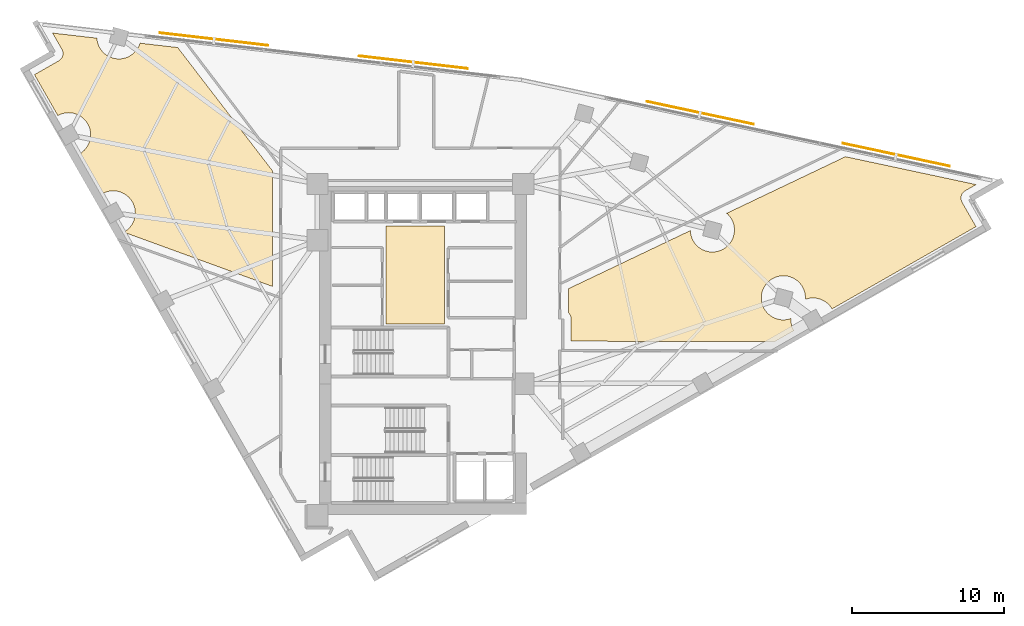
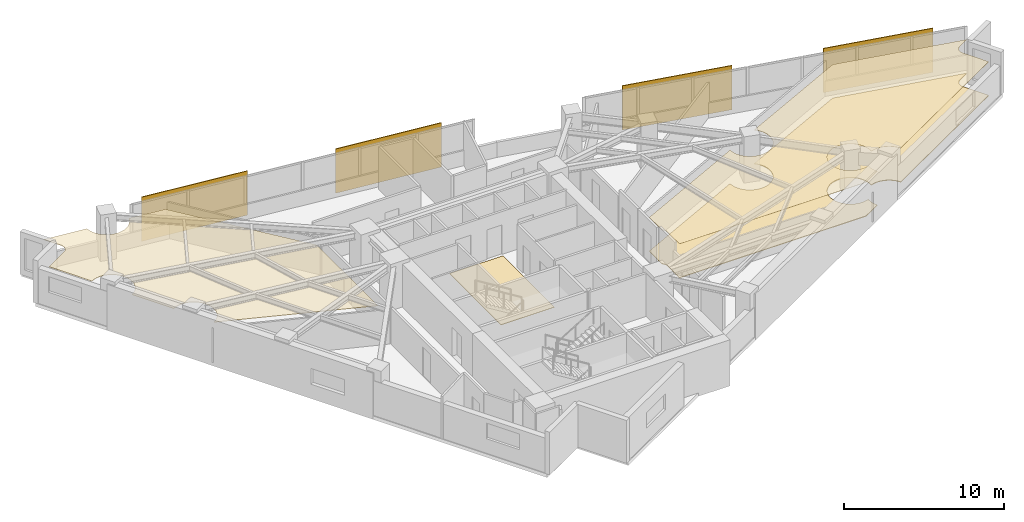
# One storey, part 14 of 14: 4 coverings, 4 shading devices.
"""IFC4 building model written with IfcOpenShell, lengths in metres."""

from ifc_helpers import new_model, si_unit, direction, frame, origin, origin_2d, place, context, subcontext, project, spatial, polyline, rectangle, outline, extrude, material, layer, layer_set, type_object, element, save


model = new_model("IFC4")

# Units and contexts
model_context = context("Model", 3, precision=1e-05, world=origin(), true_north=direction((0.0, 1.0)))
body_context = subcontext(model_context, "Body", "Model", "MODEL_VIEW")
ifc_project = project(units=[si_unit("LENGTHUNIT", "METRE"), si_unit("AREAUNIT", "SQUARE_METRE"), si_unit("VOLUMEUNIT", "CUBIC_METRE"), si_unit("PLANEANGLEUNIT", "RADIAN"), si_unit("MASSUNIT", "GRAM", prefix="KILO")], contexts=[model_context])

# Site, building, storey
site_placement = place(None, origin())
site = spatial("IfcSite", under=ifc_project, at=site_placement, CompositionType="ELEMENT")
building_placement = place(site_placement, origin())
building = spatial("IfcBuilding", under=site, at=building_placement, Name="Narakoshi Arena Tower", CompositionType="ELEMENT")
storey_placement = place(building_placement, frame((0.0, 0.0, 204.419921875)))
storey = spatial("IfcBuildingStorey", under=building, at=storey_placement, Name="L55", CompositionType="ELEMENT", Elevation=204.419921875)

# Coverings
ifc_material_1 = material(Name="Acoustic mineral-fibre ceiling tile")
ifc_layer_1 = layer(ifc_material_1, 0.02001953125)
ifc_layer_set_1 = layer_set([ifc_layer_1], Name="Acoustic mineral-fibre ceiling tile")
covering_type_1 = type_object("IfcCoveringType", Name="COV-CLG-AC20", PredefinedType="CEILING", material=ifc_layer_set_1)
covering_1_placement = place(storey_placement, frame((0.0, 0.0, 2.590087890625)))
element("IfcCovering", 1, at=covering_1_placement, inside=storey, type_object=covering_type_1, Name="L55 Suspended Acoustic Ceiling 1", PredefinedType="CEILING", context=body_context, shape_type="SweptSolid", body=[
    extrude(outline(polyline([(88.699951171875, 47.6201171875), (88.697509765625, 47.673828125), (88.689453125, 47.727294921875), (88.67626953125, 47.77978515625), (88.658203125, 47.83056640625), (88.635009765625, 47.87939453125), (88.607421875, 47.925537109375), (88.5751953125, 47.968994140625), (88.538818359375, 48.0087890625), (88.516845703125, 48.02880859375), (88.516845703125, 49.60791015625), (96.5498046875, 53.43603515625), (96.554931640625, 53.3330078125), (96.57568359375, 53.1923828125), (96.6103515625, 53.05419921875), (96.658203125, 52.92041015625), (96.718994140625, 52.791748046875), (96.792236328125, 52.669677734375), (96.876953125, 52.555419921875), (96.97265625, 52.449951171875), (97.077880859375, 52.354248046875), (97.1923828125, 52.26953125), (97.314453125, 52.1962890625), (97.443115234375, 52.135498046875), (97.576904296875, 52.087646484375), (97.715087890625, 52.052978515625), (97.855712890625, 52.0322265625), (97.997802734375, 52.025146484375), (98.139892578125, 52.0322265625), (98.28076171875, 52.052978515625), (98.418701171875, 52.087646484375), (98.552734375, 52.135498046875), (98.681396484375, 52.1962890625), (98.803466796875, 52.26953125), (98.917724609375, 52.354248046875), (99.023193359375, 52.449951171875), (99.118896484375, 52.555419921875), (99.20361328125, 52.669677734375), (99.276611328125, 52.791748046875), (99.33740234375, 52.92041015625), (99.385498046875, 53.05419921875), (99.419921875, 53.1923828125), (99.44091796875, 53.3330078125), (99.447998046875, 53.47509765625), (99.44091796875, 53.6171875), (99.419921875, 53.758056640625), (99.385498046875, 53.89599609375), (99.33740234375, 54.030029296875), (99.276611328125, 54.15869140625), (99.20361328125, 54.28076171875), (99.118896484375, 54.39501953125), (99.023193359375, 54.50048828125), (98.940673828125, 54.575439453125), (106.756591796875, 58.300048828125), (115.35791015625, 56.462890625), (114.636962890625, 56.05078125), (114.591552734375, 56.021728515625), (114.549072265625, 55.98828125), (114.510009765625, 55.950927734375), (114.47509765625, 55.909912109375), (114.444091796875, 55.86572265625), (114.417724609375, 55.818603515625), (114.39599609375, 55.769287109375), (114.37939453125, 55.718017578125), (114.36767578125, 55.665283203125), (114.361083984375, 55.61181640625), (114.360107421875, 55.5576171875), (114.3642578125, 55.50390625), (114.373779296875, 55.45068359375), (114.38818359375, 55.398681640625), (114.407958984375, 55.348388671875), (114.432373046875, 55.30029296875), (115.35009765625, 53.694580078125), (105.872314453125, 48.27734375), (105.825439453125, 48.355712890625), (105.74072265625, 48.469970703125), (105.64501953125, 48.5751953125), (105.539794921875, 48.6708984375), (105.42529296875, 48.755615234375), (105.30322265625, 48.828857421875), (105.1748046875, 48.8896484375), (105.040771484375, 48.9375), (104.902587890625, 48.97216796875), (104.761962890625, 48.992919921875), (104.619873046875, 49.0), (104.477783203125, 48.992919921875), (104.3369140625, 48.97216796875), (104.198974609375, 48.9375), (104.11376953125, 48.906982421875), (104.118896484375, 49.009521484375), (104.11181640625, 49.151611328125), (104.0908203125, 49.29248046875), (104.056396484375, 49.430419921875), (104.00830078125, 49.564453125), (103.947509765625, 49.693115234375), (103.87451171875, 49.815185546875), (103.789794921875, 49.929443359375), (103.694091796875, 50.034912109375), (103.588623046875, 50.13037109375), (103.474365234375, 50.215087890625), (103.352294921875, 50.288330078125), (103.2236328125, 50.34912109375), (103.089599609375, 50.397216796875), (102.95166015625, 50.431640625), (102.810791015625, 50.452392578125), (102.668701171875, 50.45947265625), (102.526611328125, 50.452392578125), (102.385986328125, 50.431640625), (102.247802734375, 50.397216796875), (102.114013671875, 50.34912109375), (101.9853515625, 50.288330078125), (101.86328125, 50.215087890625), (101.748779296875, 50.13037109375), (101.6435546875, 50.034912109375), (101.5478515625, 49.929443359375), (101.463134765625, 49.815185546875), (101.389892578125, 49.693115234375), (101.3291015625, 49.564453125), (101.28125, 49.430419921875), (101.24658203125, 49.29248046875), (101.225830078125, 49.151611328125), (101.21875, 49.009521484375), (101.225830078125, 48.867431640625), (101.24658203125, 48.7265625), (101.28125, 48.588623046875), (101.3291015625, 48.45458984375), (101.389892578125, 48.325927734375), (101.463134765625, 48.203857421875), (101.5478515625, 48.089599609375), (101.6435546875, 47.984130859375), (101.748779296875, 47.888671875), (101.86328125, 47.803955078125), (101.9853515625, 47.730712890625), (102.114013671875, 47.669921875), (102.247802734375, 47.621826171875), (102.385986328125, 47.58740234375), (102.526611328125, 47.56640625), (102.668701171875, 47.5595703125), (102.810791015625, 47.56640625), (102.95166015625, 47.58740234375), (103.089599609375, 47.621826171875), (103.1748046875, 47.65234375), (103.169921875, 47.550048828125), (103.1767578125, 47.407958984375), (103.19775390625, 47.26708984375), (103.232177734375, 47.129150390625), (103.2802734375, 46.9951171875), (103.341064453125, 46.866455078125), (103.35693359375, 46.83984375), (102.135498046875, 46.1416015625), (88.699951171875, 46.1533203125), (88.699951171875, 47.6201171875)])), origin(), (0.0, 0.0, 1.0), 0.02001953125),
])
ifc_material_2 = material(Name="Slatted oak acoustic timber baffle", Category="wood")
ifc_layer_2 = layer(ifc_material_2, 0.034912109375)
ifc_layer_set_2 = layer_set([ifc_layer_2], Name="Slatted oak acoustic timber baffle")
covering_type_2 = type_object("IfcCoveringType", Name="COV-CLG-WD35", PredefinedType="CEILING", material=ifc_layer_set_2)
covering_2_placement = place(storey_placement, frame((0.0, 0.0, 2.5751953125)))
element("IfcCovering", 2, at=covering_2_placement, inside=storey, type_object=covering_type_2, Name="L55 Suspended Acoustic Ceiling 2", PredefinedType="CEILING", context=body_context, shape_type="SweptSolid", body=[
    extrude(outline(polyline([(54.981201171875, 64.615478515625), (55.026611328125, 64.644287109375), (55.069091796875, 64.677734375), (55.10791015625, 64.715087890625), (55.14306640625, 64.756103515625), (55.174072265625, 64.80029296875), (55.200439453125, 64.847412109375), (55.22216796875, 64.89697265625), (55.23876953125, 64.9482421875), (55.25048828125, 65.0009765625), (55.2568359375, 65.054443359375), (55.258056640625, 65.1083984375), (55.25390625, 65.162353515625), (55.244384765625, 65.215576171875), (55.229736328125, 65.267333984375), (55.210205078125, 65.317626953125), (55.185791015625, 65.36572265625), (54.573486328125, 66.43701171875), (57.48828125, 66.099609375), (57.4912109375, 66.041748046875), (57.51220703125, 65.90087890625), (57.546630859375, 65.762939453125), (57.5947265625, 65.62890625), (57.655517578125, 65.500244140625), (57.728759765625, 65.378173828125), (57.8134765625, 65.263916015625), (57.908935546875, 65.158447265625), (58.014404296875, 65.06298828125), (58.128662109375, 64.978271484375), (58.250732421875, 64.905029296875), (58.37939453125, 64.84423828125), (58.513427734375, 64.796142578125), (58.6513671875, 64.76171875), (58.792236328125, 64.74072265625), (58.934326171875, 64.73388671875), (59.076416015625, 64.74072265625), (59.21728515625, 64.76171875), (59.355224609375, 64.796142578125), (59.4892578125, 64.84423828125), (59.617919921875, 64.905029296875), (59.739990234375, 64.978271484375), (59.854248046875, 65.06298828125), (59.959716796875, 65.158447265625), (60.05517578125, 65.263916015625), (60.139892578125, 65.378173828125), (60.213134765625, 65.500244140625), (60.27392578125, 65.62890625), (60.322021484375, 65.762939453125), (60.323974609375, 65.771240234375), (62.80615234375, 65.48388671875), (69.033203125, 57.38330078125), (69.033203125, 49.7626953125), (59.311767578125, 53.310791015625), (59.2900390625, 53.348388671875), (59.368408203125, 53.3955078125), (59.482666015625, 53.47998046875), (59.588134765625, 53.57568359375), (59.68359375, 53.68115234375), (59.768310546875, 53.79541015625), (59.841552734375, 53.91748046875), (59.90234375, 54.046142578125), (59.950439453125, 54.18017578125), (59.98486328125, 54.318115234375), (60.005859375, 54.458984375), (60.0126953125, 54.60107421875), (60.005859375, 54.7431640625), (59.98486328125, 54.8837890625), (59.950439453125, 55.02197265625), (59.90234375, 55.156005859375), (59.841552734375, 55.284423828125), (59.768310546875, 55.406494140625), (59.68359375, 55.52099609375), (59.588134765625, 55.626220703125), (59.482666015625, 55.721923828125), (59.368408203125, 55.806640625), (59.246337890625, 55.8798828125), (59.11767578125, 55.940673828125), (58.983642578125, 55.988525390625), (58.845703125, 56.023193359375), (58.704833984375, 56.0439453125), (58.562744140625, 56.051025390625), (58.420654296875, 56.0439453125), (58.27978515625, 56.023193359375), (58.141845703125, 55.988525390625), (58.0078125, 55.940673828125), (57.87939453125, 55.8798828125), (57.8525390625, 55.86376953125), (56.35205078125, 58.489013671875), (56.430419921875, 58.535888671875), (56.544677734375, 58.62060546875), (56.64990234375, 58.71630859375), (56.74560546875, 58.82177734375), (56.830322265625, 58.93603515625), (56.903564453125, 59.05810546875), (56.96435546875, 59.186767578125), (57.01220703125, 59.32080078125), (57.046875, 59.458740234375), (57.067626953125, 59.599609375), (57.07470703125, 59.74169921875), (57.067626953125, 59.8837890625), (57.046875, 60.0244140625), (57.01220703125, 60.16259765625), (56.96435546875, 60.29638671875), (56.903564453125, 60.425048828125), (56.830322265625, 60.547119140625), (56.74560546875, 60.66162109375), (56.64990234375, 60.766845703125), (56.544677734375, 60.862548828125), (56.430419921875, 60.947265625), (56.30810546875, 61.0205078125), (56.1796875, 61.081298828125), (56.045654296875, 61.129150390625), (55.90771484375, 61.163818359375), (55.766845703125, 61.1845703125), (55.624755859375, 61.191650390625), (55.482666015625, 61.1845703125), (55.341796875, 61.163818359375), (55.203857421875, 61.129150390625), (55.06982421875, 61.081298828125), (54.941162109375, 61.0205078125), (54.91455078125, 61.00439453125), (53.375244140625, 63.697509765625), (54.981201171875, 64.615478515625)])), origin(), (0.0, 0.0, 1.0), 0.034912109375),
])
ifc_material_3 = material(Name="Raised steel access floor panel", Category="steel")
ifc_layer_3 = layer(ifc_material_3, 0.044921875)
ifc_layer_set_3 = layer_set([ifc_layer_3], Name="Raised steel access floor panel")
covering_type_3 = type_object("IfcCoveringType", Name="COV-FLR-RF45", PredefinedType="FLOORING", material=ifc_layer_set_3)
covering_3_placement = place(storey_placement, origin())
element("IfcCovering", 3, at=covering_3_placement, inside=storey, type_object=covering_type_3, Name="L55 Raised Steel Access Floor", PredefinedType="FLOORING", context=body_context, shape_type="SweptSolid", body=[
    extrude(outline(polyline([(88.699951171875, 47.6201171875), (88.697509765625, 47.673828125), (88.689453125, 47.727294921875), (88.67626953125, 47.77978515625), (88.658203125, 47.83056640625), (88.635009765625, 47.87939453125), (88.607421875, 47.925537109375), (88.5751953125, 47.968994140625), (88.538818359375, 48.0087890625), (88.516845703125, 48.02880859375), (88.516845703125, 49.60791015625), (96.5498046875, 53.43603515625), (96.554931640625, 53.3330078125), (96.57568359375, 53.1923828125), (96.6103515625, 53.05419921875), (96.658203125, 52.92041015625), (96.718994140625, 52.791748046875), (96.792236328125, 52.669677734375), (96.876953125, 52.555419921875), (96.97265625, 52.449951171875), (97.077880859375, 52.354248046875), (97.1923828125, 52.26953125), (97.314453125, 52.1962890625), (97.443115234375, 52.135498046875), (97.576904296875, 52.087646484375), (97.715087890625, 52.052978515625), (97.855712890625, 52.0322265625), (97.997802734375, 52.025146484375), (98.139892578125, 52.0322265625), (98.28076171875, 52.052978515625), (98.418701171875, 52.087646484375), (98.552734375, 52.135498046875), (98.681396484375, 52.1962890625), (98.803466796875, 52.26953125), (98.917724609375, 52.354248046875), (99.023193359375, 52.449951171875), (99.118896484375, 52.555419921875), (99.20361328125, 52.669677734375), (99.276611328125, 52.791748046875), (99.33740234375, 52.92041015625), (99.385498046875, 53.05419921875), (99.419921875, 53.1923828125), (99.44091796875, 53.3330078125), (99.447998046875, 53.47509765625), (99.44091796875, 53.6171875), (99.419921875, 53.758056640625), (99.385498046875, 53.89599609375), (99.33740234375, 54.030029296875), (99.276611328125, 54.15869140625), (99.20361328125, 54.28076171875), (99.118896484375, 54.39501953125), (99.023193359375, 54.50048828125), (98.940673828125, 54.575439453125), (106.756591796875, 58.300048828125), (115.35791015625, 56.462890625), (114.636962890625, 56.05078125), (114.591552734375, 56.021728515625), (114.549072265625, 55.98828125), (114.510009765625, 55.950927734375), (114.47509765625, 55.909912109375), (114.444091796875, 55.86572265625), (114.417724609375, 55.818603515625), (114.39599609375, 55.769287109375), (114.37939453125, 55.718017578125), (114.36767578125, 55.665283203125), (114.361083984375, 55.61181640625), (114.360107421875, 55.5576171875), (114.3642578125, 55.50390625), (114.373779296875, 55.45068359375), (114.38818359375, 55.398681640625), (114.407958984375, 55.348388671875), (114.432373046875, 55.30029296875), (115.35009765625, 53.694580078125), (105.872314453125, 48.27734375), (105.825439453125, 48.355712890625), (105.74072265625, 48.469970703125), (105.64501953125, 48.5751953125), (105.539794921875, 48.6708984375), (105.42529296875, 48.755615234375), (105.30322265625, 48.828857421875), (105.1748046875, 48.8896484375), (105.040771484375, 48.9375), (104.902587890625, 48.97216796875), (104.761962890625, 48.992919921875), (104.619873046875, 49.0), (104.477783203125, 48.992919921875), (104.3369140625, 48.97216796875), (104.198974609375, 48.9375), (104.11376953125, 48.906982421875), (104.118896484375, 49.009521484375), (104.11181640625, 49.151611328125), (104.0908203125, 49.29248046875), (104.056396484375, 49.430419921875), (104.00830078125, 49.564453125), (103.947509765625, 49.693115234375), (103.87451171875, 49.815185546875), (103.789794921875, 49.929443359375), (103.694091796875, 50.034912109375), (103.588623046875, 50.13037109375), (103.474365234375, 50.215087890625), (103.352294921875, 50.288330078125), (103.2236328125, 50.34912109375), (103.089599609375, 50.397216796875), (102.95166015625, 50.431640625), (102.810791015625, 50.452392578125), (102.668701171875, 50.45947265625), (102.526611328125, 50.452392578125), (102.385986328125, 50.431640625), (102.247802734375, 50.397216796875), (102.114013671875, 50.34912109375), (101.9853515625, 50.288330078125), (101.86328125, 50.215087890625), (101.748779296875, 50.13037109375), (101.6435546875, 50.034912109375), (101.5478515625, 49.929443359375), (101.463134765625, 49.815185546875), (101.389892578125, 49.693115234375), (101.3291015625, 49.564453125), (101.28125, 49.430419921875), (101.24658203125, 49.29248046875), (101.225830078125, 49.151611328125), (101.21875, 49.009521484375), (101.225830078125, 48.867431640625), (101.24658203125, 48.7265625), (101.28125, 48.588623046875), (101.3291015625, 48.45458984375), (101.389892578125, 48.325927734375), (101.463134765625, 48.203857421875), (101.5478515625, 48.089599609375), (101.6435546875, 47.984130859375), (101.748779296875, 47.888671875), (101.86328125, 47.803955078125), (101.9853515625, 47.730712890625), (102.114013671875, 47.669921875), (102.247802734375, 47.621826171875), (102.385986328125, 47.58740234375), (102.526611328125, 47.56640625), (102.668701171875, 47.5595703125), (102.810791015625, 47.56640625), (102.95166015625, 47.58740234375), (103.089599609375, 47.621826171875), (103.1748046875, 47.65234375), (103.169921875, 47.550048828125), (103.1767578125, 47.407958984375), (103.19775390625, 47.26708984375), (103.232177734375, 47.129150390625), (103.2802734375, 46.9951171875), (103.341064453125, 46.866455078125), (103.35693359375, 46.83984375), (102.135498046875, 46.1416015625), (88.699951171875, 46.1533203125), (88.699951171875, 47.6201171875)])), origin(), (0.0, 0.0, 1.0), 0.045166015625),
])
ifc_material_4 = material(Name="Honed granite stone paving", Category="masonry")
ifc_layer_4 = layer(ifc_material_4, 0.030029296875)
ifc_layer_set_4 = layer_set([ifc_layer_4], Name="Honed granite stone paving")
covering_type_4 = type_object("IfcCoveringType", Name="COV-FLR-ST30", PredefinedType="FLOORING", material=ifc_layer_set_4)
covering_4_placement = place(storey_placement, origin())
element("IfcCovering", 4, at=covering_4_placement, inside=storey, type_object=covering_type_4, Name="L55 Lift Lobby Granite Flooring", PredefinedType="FLOORING", context=body_context, shape_type="SweptSolid", body=[
    extrude(outline(polyline([(76.5, 47.300048828125), (80.35009765625, 47.300048828125), (80.35009765625, 53.75), (76.5, 53.75), (76.5, 47.300048828125)])), origin(), (0.0, 0.0, 1.0), 0.030029296875),
])

# Shading devices
ifc_material_5 = material(Name="Perforated bronze ceramic-metal composite")
ifc_layer_5 = layer(ifc_material_5, 0.06005859375)
ifc_layer_set_5 = layer_set([ifc_layer_5], Name="Perforated bronze ceramic-metal composite")
shading_device_type = type_object("IfcShadingDeviceType", Name="SHD-SCR-BRZ2", PredefinedType="USERDEFINED", material=ifc_layer_set_5)
for number, where, z_axis, x_axis, name in (
    (5, (110.10107421875, 58.42431640625, 0.0), (0.0, 0.0, 1.0), (-0.977936632473, 0.208901754101, 0.0), "L55 Perforated Bronze Solar Screen 1-1"),
    (6, (97.1923828125, 61.181640625, 0.0), (0.0, 0.0, 1.0), (-0.977936632473, 0.208901754101, 0.0), "L55 Perforated Bronze Solar Screen 1-2"),
    (7, (78.312255859375, 64.513916015625, 0.0), (0.0, 0.0, 1.0), (-0.993364739053, 0.115006500715, 0.0), "L55 Perforated Bronze Solar Screen 2-1"),
    (8, (65.199951171875, 66.031982421875, 0.0), (0.0, 0.0, 1.0), (-0.993364739053, 0.115006500715, 0.0), "L55 Perforated Bronze Solar Screen 2-2"),
):
    element("IfcShadingDevice", number, at=place(storey_placement, frame(where, z_axis=z_axis, x_axis=x_axis)), inside=storey, type_object=shading_device_type, Name=name, ObjectType="SOLAR SCREEN", PredefinedType="USERDEFINED", context=body_context, shape_type="SweptSolid", body=[
        extrude(rectangle(XDim=7.199951171875, YDim=0.06005859375, at=origin_2d()), origin(), (0.0, 0.0, 1.0), 3.3701171875),
    ])

save(model, "model.ifc")
